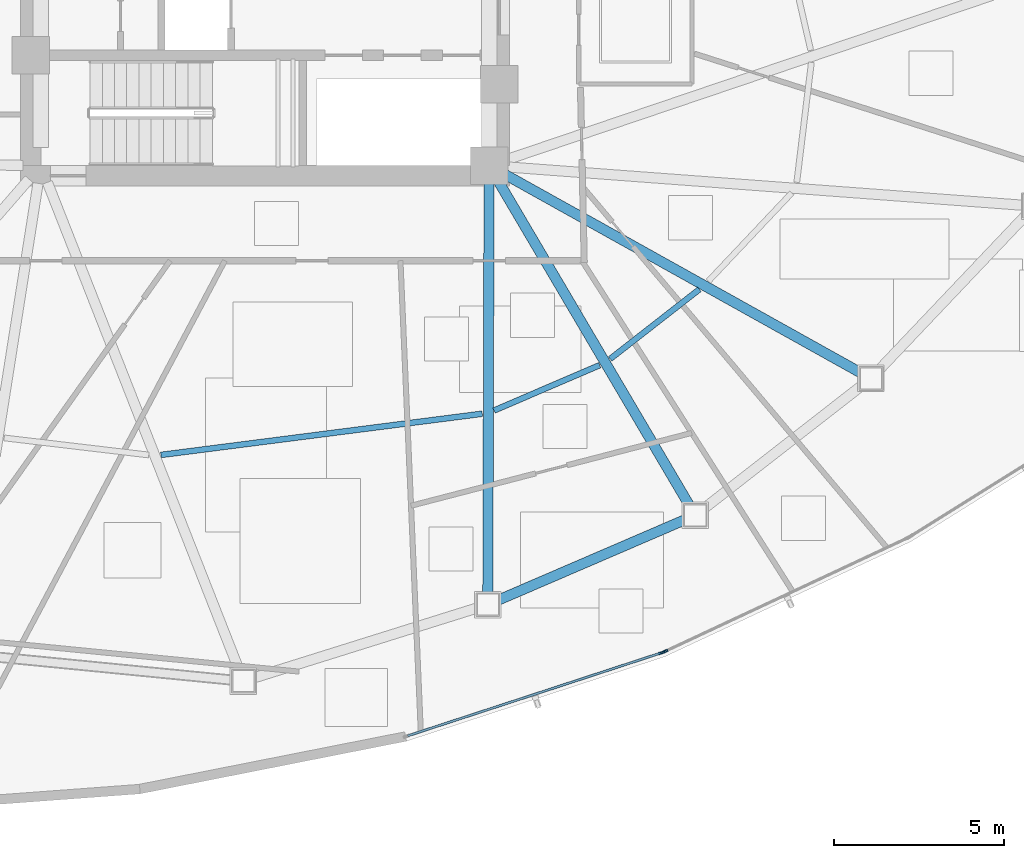
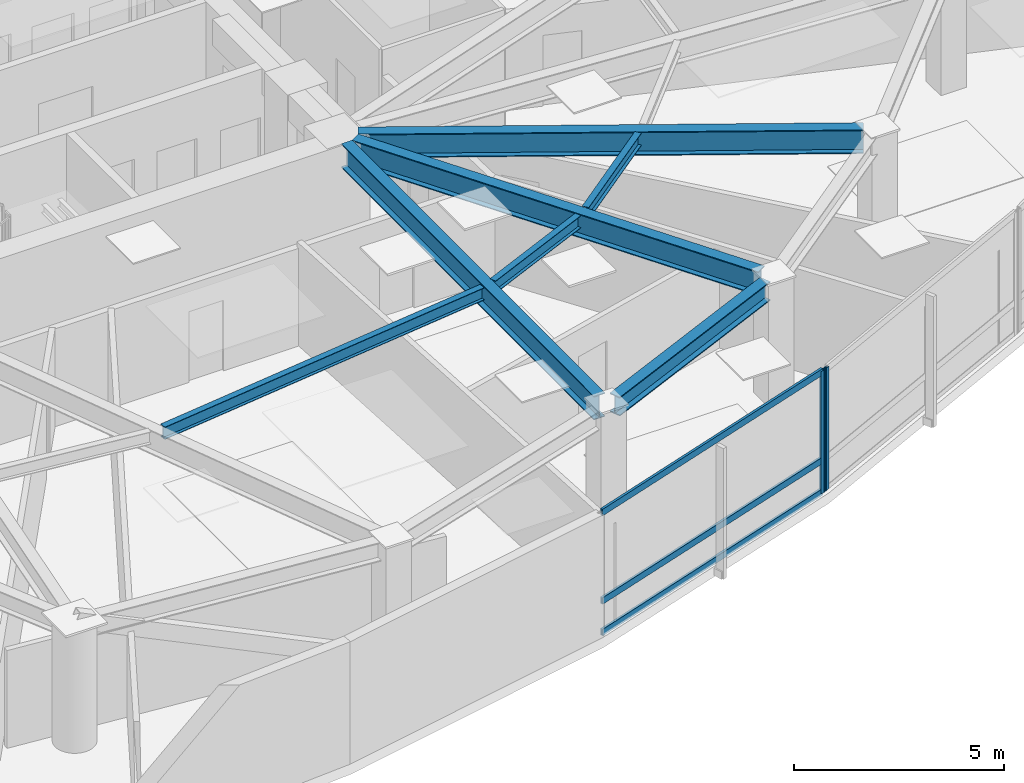
# One storey, part 3 of 17: 7 beams, 5 members, 2 elements without a shape of their own.
"""IFC4 building model written with IfcOpenShell, lengths in metres."""

from ifc_helpers import new_model, si_unit, direction, frame, origin, origin_2d, place, context, subcontext, project, spatial, hollow_rectangle, i_section, extrude, source, transform, mapped, material, layer, layer_set, material_profile, profile_set, type_object, type_shapes, element, aggregate, save


model = new_model("IFC4")

# Units and contexts
model_context = context("Model", 3, precision=1e-05, world=origin(), true_north=direction((0.0, 1.0)))
body_context = subcontext(model_context, "Body", "Model", "MODEL_VIEW")
ifc_project = project(units=[si_unit("LENGTHUNIT", "METRE"), si_unit("AREAUNIT", "SQUARE_METRE"), si_unit("VOLUMEUNIT", "CUBIC_METRE"), si_unit("PLANEANGLEUNIT", "RADIAN"), si_unit("MASSUNIT", "GRAM", prefix="KILO")], contexts=[model_context])

# Site, building, storey
site_placement = place(None, origin())
site = spatial("IfcSite", under=ifc_project, at=site_placement, CompositionType="ELEMENT")
building_placement = place(site_placement, origin())
building = spatial("IfcBuilding", under=site, at=building_placement, Name="Tavelor Broadcast Tower", CompositionType="ELEMENT")
storey_placement = place(building_placement, frame((0.0, 0.0, 123.300048828125)))
storey = spatial("IfcBuildingStorey", under=building, at=storey_placement, Name="L28", CompositionType="ELEMENT", Elevation=123.300048828125)

# Beams
ifc_material_1 = material(Name="Steel S355", Category="steel")
ifc_material_profile_1 = material_profile(ifc_material_1, i_section(OverallWidth=0.169921875, OverallDepth=0.360107421875, WebThickness=0.008056640625, FlangeThickness=0.0126953125, at=origin_2d()), Name="IPE 360")
ifc_profile_set_1 = profile_set([ifc_material_profile_1], Name="Steel S355")
beam_type_1 = type_object("IfcBeamType", Name="Composite Floor Joist T3 IPE 360", PredefinedType="JOIST", material=ifc_profile_set_1)
beam_1_placement = place(storey_placement, frame((46.93701171875, 30.280517578125, 3.369873046875), z_axis=(0.991879926303, 0.12717787464, 0.0), x_axis=(-0.12717787464, 0.991879926303, 0.0)))
element("IfcBeam", 1, at=beam_1_placement, inside=storey, type_object=beam_type_1, Name="L28 Secondary Composite Floor Joist 08", PredefinedType="JOIST", context=body_context, shape_type="SweptSolid", body=[
    extrude(i_section(OverallWidth=0.169921875, OverallDepth=0.360107421875, WebThickness=0.008056640625, FlangeThickness=0.0126953125, at=origin_2d()), origin(), (0.0, 0.0, 1.0), 9.538818359375),
])
beam_2_placement = place(storey_placement, frame((56.744384765625, 31.588134765625, 3.369873046875), z_axis=(0.918816463589, 0.394685072225, 0.0), x_axis=(-0.394685072225, 0.918816463589, 0.0)))
element("IfcBeam", 2, at=beam_2_placement, inside=storey, type_object=beam_type_1, Name="L28 Secondary Composite Floor Joist 09", PredefinedType="JOIST", context=body_context, shape_type="SweptSolid", body=[
    extrude(i_section(OverallWidth=0.169921875, OverallDepth=0.360107421875, WebThickness=0.008056640625, FlangeThickness=0.0126953125, at=origin_2d()), origin(), (0.0, 0.0, 1.0), 3.385498046875),
])
beam_3_placement = place(storey_placement, frame((60.163818359375, 33.107177734375, 3.369873046875), z_axis=(0.788471752191, 0.615070968261, 0.0), x_axis=(-0.615070968261, 0.788471752191, 0.0)))
element("IfcBeam", 3, at=beam_3_placement, inside=storey, type_object=beam_type_1, Name="L28 Secondary Composite Floor Joist 10", PredefinedType="JOIST", context=body_context, shape_type="SweptSolid", body=[
    extrude(i_section(OverallWidth=0.169921875, OverallDepth=0.360107421875, WebThickness=0.008056640625, FlangeThickness=0.0126953125, at=origin_2d()), origin(), (0.0, 0.0, 1.0), 3.33251953125),
])
ifc_material_profile_2 = material_profile(ifc_material_1, i_section(OverallWidth=0.300048828125, OverallDepth=0.550048828125, WebThickness=0.014892578125, FlangeThickness=0.029052734375, at=origin_2d()), Name="HEB 550")
ifc_profile_set_2 = profile_set([ifc_material_profile_2], Name="Steel S355")
beam_type_2 = type_object("IfcBeamType", Name="Perimeter Spandrel Beam T3 HEB 550", PredefinedType="SPANDREL", material=ifc_profile_set_2)
beam_4_placement = place(storey_placement, frame((56.86962890625, 26.005615234375, 3.27490234375), z_axis=(0.918448679011, 0.395540167396, 0.0), x_axis=(-0.395540167396, 0.918448679011, 0.0)))
element("IfcBeam", 4, at=beam_4_placement, inside=storey, type_object=beam_type_2, Name="L28 Framed-Tube Ring Spandrel 09", PredefinedType="SPANDREL", context=body_context, shape_type="SweptSolid", body=[
    extrude(i_section(OverallWidth=0.300048828125, OverallDepth=0.550048828125, WebThickness=0.014892578125, FlangeThickness=0.029052734375, at=origin_2d()), origin(), (0.0, 0.0, 1.0), 5.978515625),
])
ifc_material_profile_3 = material_profile(ifc_material_1, i_section(OverallWidth=0.300048828125, OverallDepth=0.68994140625, WebThickness=0.014404296875, FlangeThickness=0.027099609375, at=origin_2d()), Name="HEA 700")
ifc_profile_set_3 = profile_set([ifc_material_profile_3], Name="Steel S355")
beam_type_3 = type_object("IfcBeamType", Name="Radial Floor Girder T3 HEA 700", PredefinedType="BEAM", material=ifc_profile_set_3)
beam_5_placement = place(storey_placement, frame((56.598388671875, 38.27197265625, 3.204833984375), z_axis=(-0.003015509149, -0.999995453342, 0.0), x_axis=(0.999995453342, -0.003015509149, 0.0)))
element("IfcBeam", 5, at=beam_5_placement, inside=storey, type_object=beam_type_3, Name="L28 Radial Primary Floor Girder 09", PredefinedType="BEAM", context=body_context, shape_type="SweptSolid", body=[
    extrude(i_section(OverallWidth=0.300048828125, OverallDepth=0.68994140625, WebThickness=0.014404296875, FlangeThickness=0.027099609375, at=origin_2d()), origin(), (0.0, 0.0, 1.0), 12.063232421875),
])
beam_6_placement = place(storey_placement, frame((56.8681640625, 38.34521484375, 3.204833984375), z_axis=(0.507774310592, -0.861490133143, 0.0), x_axis=(0.861490133143, 0.507774310592, 0.0)))
element("IfcBeam", 6, at=beam_6_placement, inside=storey, type_object=beam_type_3, Name="L28 Radial Primary Floor Girder 10", PredefinedType="BEAM", context=body_context, shape_type="SweptSolid", body=[
    extrude(i_section(OverallWidth=0.300048828125, OverallDepth=0.68994140625, WebThickness=0.014404296875, FlangeThickness=0.027099609375, at=origin_2d()), origin(), (0.0, 0.0, 1.0), 11.08837890625),
])
beam_7_placement = place(storey_placement, frame((57.061279296875, 38.54296875, 3.204833984375), z_axis=(0.873405286678, -0.486994050481, 0.0), x_axis=(0.486994050481, 0.873405286678, 0.0)))
element("IfcBeam", 7, at=beam_7_placement, inside=storey, type_object=beam_type_3, Name="L28 Radial Primary Floor Girder 11", PredefinedType="BEAM", context=body_context, shape_type="SweptSolid", body=[
    extrude(i_section(OverallWidth=0.300048828125, OverallDepth=0.68994140625, WebThickness=0.014404296875, FlangeThickness=0.027099609375, at=origin_2d()), origin(), (0.0, 0.0, 1.0), 12.007568359375),
])

# Curtain wall, member
ifc_material_2 = material(Name="Architectural Anodized Aluminium", Category="aluminium")
ifc_layer = layer(ifc_material_2, 0.18994140625)
ifc_layer_set = layer_set([ifc_layer], Name="Architectural Anodized Aluminium")
curtain_wall_type = type_object("IfcCurtainWallType", Name="Tower Mid-Zone Acoustic Curtain Wall CW03", PredefinedType="NOTDEFINED", material=ifc_layer_set)
curtain_wall_1_placement = place(storey_placement, origin())
curtain_wall_1 = element("IfcCurtainWall", 8, at=curtain_wall_1_placement, inside=storey, type_object=curtain_wall_type, Name="L28 Curtain Wall CW03 Run 281", PredefinedType="NOTDEFINED")
ifc_material_profile_4 = material_profile(ifc_material_2, hollow_rectangle(XDim=0.068115234375, YDim=0.18994140625, WallThickness=0.02197265625, at=origin_2d()), Name="RHS 68x190x22")
ifc_profile_set_4 = profile_set([ifc_material_profile_4], Name="Architectural Anodized Aluminium")
member_type_1 = type_object("IfcMemberType", Name="CW03 Extruded Aluminium Mullion 68x190", PredefinedType="MULLION", material=ifc_profile_set_4)
shared_shape_1 = source(origin(), body_context, "Body", "SweptSolid", [
    extrude(hollow_rectangle(XDim=0.068115234375, YDim=0.18994140625, WallThickness=0.02197265625, at=origin_2d()), origin(), (0.0, 0.0, 1.0), 3.550048828125),
])
type_shapes(member_type_1, [shared_shape_1])
member_1_placement = place(storey_placement, frame((61.680908203125, 24.456787109375, 0.0), z_axis=(0.0, 0.0, 1.0), x_axis=(-0.311086441082, 0.950381621337, 0.0)))
member_1 = element("IfcMember", 9, at=member_1_placement, type_object=member_type_1, Name="CW03 mullion 2", PredefinedType="MULLION", context=body_context, shape_type="MappedRepresentation", body=[
    mapped(shared_shape_1, transform((0.0, 0.0, 0.0), scale=1.0)),
])

curtain_wall_2_placement = place(storey_placement, origin())
curtain_wall_2 = element("IfcCurtainWall", 10, at=curtain_wall_2_placement, inside=storey, type_object=curtain_wall_type, Name="L28 Curtain Wall CW03 Run 282", PredefinedType="NOTDEFINED")
member_2_placement = place(storey_placement, frame((61.77197265625, 24.492919921875, 0.0), z_axis=(0.0, 0.0, 1.0), x_axis=(-0.423802357627, 0.905754691774, 0.0)))
member_2 = element("IfcMember", 11, at=member_2_placement, type_object=member_type_1, Name="CW03 mullion 1", PredefinedType="MULLION", context=body_context, shape_type="MappedRepresentation", body=[
    mapped(shared_shape_1, transform((0.0, 0.0, 0.0), scale=1.0)),
])
aggregate(curtain_wall_2, [member_2])

# Member
ifc_material_profile_5 = material_profile(ifc_material_2, hollow_rectangle(XDim=0.068115234375, YDim=0.18994140625, WallThickness=0.02197265625, at=origin_2d()), Name="RHS 68x190x22")
ifc_profile_set_5 = profile_set([ifc_material_profile_5], Name="Architectural Anodized Aluminium")
member_type_2 = type_object("IfcMemberType", Name="CW03 Extruded Aluminium Transom 68x190", PredefinedType="USERDEFINED", material=ifc_profile_set_5)
shared_shape_2 = source(origin(), body_context, "Body", "SweptSolid", [
    extrude(hollow_rectangle(XDim=0.068115234375, YDim=0.18994140625, WallThickness=0.02197265625, at=origin_2d()), origin(), (0.0, 0.0, 1.0), 7.836181640625),
])
type_shapes(member_type_2, [shared_shape_2])
member_3_placement = place(storey_placement, frame((54.201416015625, 22.008544921875, 0.033935546875), z_axis=(0.950379879731, 0.311091761707, 0.0), x_axis=(-0.311091761707, 0.950379879731, 0.0)))
member_3 = element("IfcMember", 12, at=member_3_placement, type_object=member_type_2, Name="CW03 transom 1.1", ObjectType="TRANSOM", PredefinedType="USERDEFINED", context=body_context, shape_type="MappedRepresentation", body=[
    mapped(shared_shape_2, transform((0.0, 0.0, 0.0), scale=1.0)),
])

member_4_placement = place(storey_placement, frame((54.201416015625, 22.008544921875, 0.949951171875), z_axis=(0.950379879731, 0.311091761707, 0.0), x_axis=(-0.311091761707, 0.950379879731, 0.0)))
member_4 = element("IfcMember", 13, at=member_4_placement, type_object=member_type_2, Name="CW03 transom 1.2", ObjectType="TRANSOM", PredefinedType="USERDEFINED", context=body_context, shape_type="MappedRepresentation", body=[
    mapped(shared_shape_2, transform((0.0, 0.0, 0.0), scale=1.0)),
])

member_5_placement = place(storey_placement, frame((54.201416015625, 22.008544921875, 3.515869140625), z_axis=(0.950379879731, 0.311091761707, 0.0), x_axis=(-0.311091761707, 0.950379879731, 0.0)))
member_5 = element("IfcMember", 14, at=member_5_placement, type_object=member_type_2, Name="CW03 transom 1.3", ObjectType="TRANSOM", PredefinedType="USERDEFINED", context=body_context, shape_type="MappedRepresentation", body=[
    mapped(shared_shape_2, transform((0.0, 0.0, 0.0), scale=1.0)),
])

aggregate(curtain_wall_1, [member_1, member_3, member_4, member_5])

save(model, "model.ifc")
